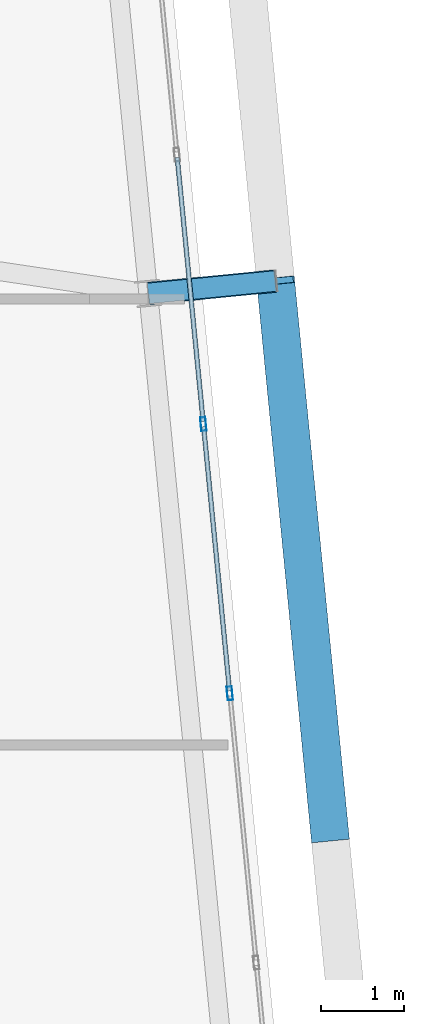
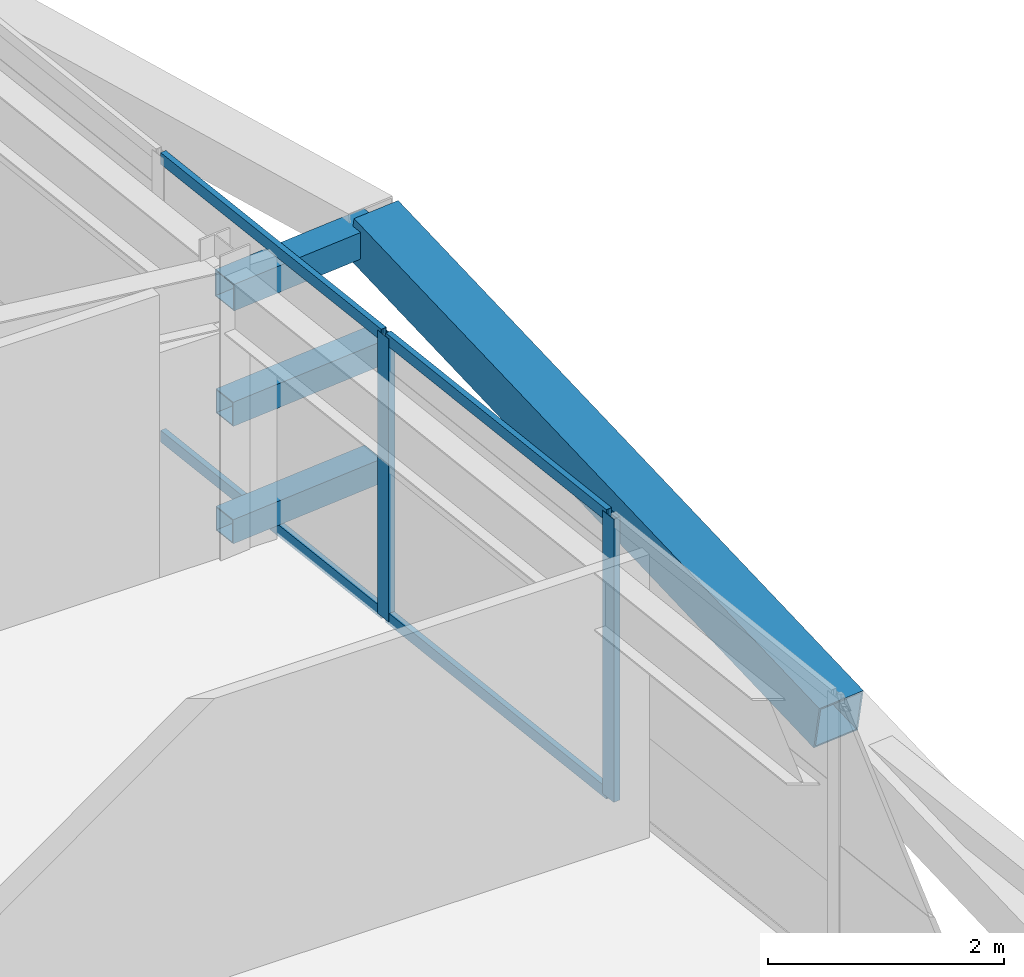
# One storey, part 24 of 53: 10 members, 1 element without a shape of its own.
"""IFC4 building model written with IfcOpenShell, lengths in metres."""

from ifc_helpers import new_model, si_unit, direction, frame, origin, origin_2d, place, context, subcontext, project, spatial, hollow_rectangle, extrude, source, transform, mapped, material, layer, layer_set, material_profile, profile_set, type_object, element, aggregate, save


model = new_model("IFC4")

# Units and contexts
model_context = context("Model", 3, precision=1e-05, world=origin(), true_north=direction((0.0, 1.0)))
body_context = subcontext(model_context, "Body", "Model", "MODEL_VIEW")
ifc_project = project(units=[si_unit("LENGTHUNIT", "METRE"), si_unit("AREAUNIT", "SQUARE_METRE"), si_unit("VOLUMEUNIT", "CUBIC_METRE"), si_unit("PLANEANGLEUNIT", "RADIAN"), si_unit("MASSUNIT", "GRAM", prefix="KILO")], contexts=[model_context])

# Site, building, storey
site_placement = place(None, origin())
site = spatial("IfcSite", under=ifc_project, at=site_placement, CompositionType="ELEMENT")
building_placement = place(site_placement, origin())
building = spatial("IfcBuilding", under=site, at=building_placement, Name="Taldren Reach Tower", CompositionType="ELEMENT")
storey_placement = place(building_placement, frame((0.0, 0.0, 68.25)))
storey = spatial("IfcBuildingStorey", under=building, at=storey_placement, Name="L20", CompositionType="ELEMENT", Elevation=68.25)

# Members
ifc_material_1 = material(Name="Steel Gr 450 (C450L0)", Category="steel")
ifc_material_profile_1 = material_profile(ifc_material_1, hollow_rectangle(XDim=0.27490234375, YDim=0.27490234375, WallThickness=0.00927734375, at=origin_2d()), Name="275x275x9.3SHS")
ifc_profile_set_1 = profile_set([ifc_material_profile_1], Name="Steel Gr 450 (C450L0)")
member_type_1 = type_object("IfcMemberType", Name="MB-TIE273", PredefinedType="STRUT", material=ifc_profile_set_1)
shared_shape_1 = source(origin(), body_context, "Body", "SweptSolid", [
    extrude(hollow_rectangle(XDim=0.27490234375, YDim=0.27490234375, WallThickness=0.00927734375, at=origin_2d()), origin(), (0.0, 0.0, 1.0), 1.5498046875),
])
member_1_placement = place(storey_placement, frame((64.569580078125, 21.968994140625, 2.64990234375), z_axis=(0.995234821595, 0.097507178627, 0.0), x_axis=(-0.097507178627, 0.995234821595, 0.0)))
element("IfcMember", 1, at=member_1_placement, inside=storey, type_object=member_type_1, Name="Exoskeleton diaphragm tie strut B2-E2 L20", PredefinedType="STRUT", context=body_context, shape_type="MappedRepresentation", body=[
    mapped(shared_shape_1, transform((0.0, 0.0, 0.0), scale=1.0)),
])
ifc_material_2 = material(Name="Steel Gr 350 (C350L0)", Category="steel")
ifc_material_profile_2 = material_profile(ifc_material_2, hollow_rectangle(XDim=0.25, YDim=0.25, WallThickness=0.010009765625, at=origin_2d()), Name="250x250x10.0SHS")
ifc_profile_set_2 = profile_set([ifc_material_profile_2], Name="Steel Gr 350 (C350L0)")
member_type_2 = type_object("IfcMemberType", Name="MB-POST250", PredefinedType="POST", material=ifc_profile_set_2)
shared_shape_2 = source(origin(), body_context, "Body", "SweptSolid", [
    extrude(hollow_rectangle(XDim=0.25, YDim=0.25, WallThickness=0.010009765625, at=origin_2d()), origin(), (0.0, 0.0, 1.0), 1.5498046875),
])
for number, where, z_axis, x_axis, name in (
    (2, (64.569580078125, 21.968994140625, 0.219970703125), (0.995234821595, 0.097507178627, 0.0), (-0.097507178627, 0.995234821595, 0.0), "Exoskeleton base diaphragm tie strut B2-E2 L20"),
    (3, (64.569580078125, 21.968994140625, 1.43505859375), (0.995234821595, 0.097507178627, 0.0), (-0.097507178627, 0.995234821595, 0.0), "Exoskeleton mid-tier diaphragm tie B2-E2 L20"),
):
    element("IfcMember", number, at=place(storey_placement, frame(where, z_axis=z_axis, x_axis=x_axis)), inside=storey, type_object=member_type_2, Name=name, PredefinedType="POST", context=body_context, shape_type="MappedRepresentation", body=[
        mapped(shared_shape_2, transform((0.0, 0.0, 0.0), scale=1.0)),
    ])
ifc_material_profile_3 = material_profile(ifc_material_1, hollow_rectangle(XDim=0.4599609375, YDim=0.4599609375, WallThickness=0.01611328125, at=origin_2d()), Name="460x460x16.0SHS")
ifc_profile_set_3 = profile_set([ifc_material_profile_3], Name="Steel Gr 450 (C450L0)")
member_type_3 = type_object("IfcMemberType", Name="MB-EXO457", PredefinedType="BRACE", material=ifc_profile_set_3)
shared_shape_3 = source(origin(), body_context, "Body", "SweptSolid", [
    extrude(hollow_rectangle(XDim=0.4599609375, YDim=0.4599609375, WallThickness=0.01611328125, at=origin_2d()), origin(), (0.0, 0.0, 1.0), 6.883056640625),
])
member_2_placement = place(storey_placement, frame((66.773193359375, 15.37744140625, 1.43505859375), z_axis=(-0.096052059581, 0.979603316657, 0.176497432967), x_axis=(-0.995227290009, -0.097584021339, 0.0)))
element("IfcMember", 4, at=member_2_placement, inside=storey, type_object=member_type_3, Name="Exoskeleton Diagrid Brace B2-E1 L20", PredefinedType="BRACE", context=body_context, shape_type="MappedRepresentation", body=[
    mapped(shared_shape_3, transform((0.0, 0.0, 0.0), scale=1.0)),
])

# Curtain wall, members
ifc_material_3 = material(Name="Aluminium and Low-E Glass Unitised System", Category="aluminium")
ifc_layer = layer(ifc_material_3, 0.159912109375)
ifc_layer_set = layer_set([ifc_layer], Name="Aluminium and Low-E Glass Unitised System")
curtain_wall_type = type_object("IfcCurtainWallType", Name="CW-SYS-3", PredefinedType="NOTDEFINED", material=ifc_layer_set)
curtain_wall_placement = place(storey_placement, origin())
curtain_wall = element("IfcCurtainWall", 5, at=curtain_wall_placement, inside=storey, type_object=curtain_wall_type, Name="Unitised curtain wall CW-L20-E", PredefinedType="NOTDEFINED")
ifc_material_4 = material(Name="Anodised Aluminium 6063-T6", Category="aluminium")
ifc_material_profile_4 = material_profile(ifc_material_4, hollow_rectangle(XDim=0.06494140625, YDim=0.1650390625, WallThickness=0.00390625, at=origin_2d()), Name="ALU-165x65x4RHS")
ifc_profile_set_4 = profile_set([ifc_material_profile_4], Name="Anodised Aluminium 6063-T6")
member_type_4 = type_object("IfcMemberType", Name="CW-MUL-165", PredefinedType="MULLION", material=ifc_profile_set_4)
shared_shape_4 = source(origin(), body_context, "Body", "SweptSolid", [
    extrude(hollow_rectangle(XDim=0.06494140625, YDim=0.1650390625, WallThickness=0.00390625, at=origin_2d()), origin(), (0.0, 0.0, 1.0), 2.929931640625),
])
member_3_placement = place(storey_placement, frame((65.556884765625, 17.12548828125, 0.0), z_axis=(0.0, 0.0, 1.0), x_axis=(-0.99522741555, -0.09758274098, 0.0)))
member_3 = element("IfcMember", 6, at=member_3_placement, type_object=member_type_4, Name="CW-3 mullion 4", PredefinedType="MULLION", context=body_context, shape_type="MappedRepresentation", body=[
    mapped(shared_shape_4, transform((0.0, 0.0, 0.0), scale=1.0)),
])
member_4_placement = place(storey_placement, frame((65.237060546875, 20.3876953125, 0.0), z_axis=(0.0, 0.0, 1.0), x_axis=(-0.99522741555, -0.09758274098, 0.0)))
member_4 = element("IfcMember", 7, at=member_4_placement, type_object=member_type_4, Name="CW-3 mullion 5", PredefinedType="MULLION", context=body_context, shape_type="MappedRepresentation", body=[
    mapped(shared_shape_4, transform((0.0, 0.0, 0.0), scale=1.0)),
])
ifc_material_profile_5 = material_profile(ifc_material_4, hollow_rectangle(XDim=0.054931640625, YDim=0.1201171875, WallThickness=0.0029296875, at=origin_2d()), Name="ALU-120x55x3RHS")
ifc_profile_set_5 = profile_set([ifc_material_profile_5], Name="Anodised Aluminium 6063-T6")
member_type_5 = type_object("IfcMemberType", Name="CW-TRN-135", PredefinedType="USERDEFINED", material=ifc_profile_set_5)
shared_shape_5 = source(origin(), body_context, "Body", "SweptSolid", [
    extrude(hollow_rectangle(XDim=0.054931640625, YDim=0.1201171875, WallThickness=0.0029296875, at=origin_2d()), origin(), (0.0, 0.0, 1.0), 3.212890625),
])
member_5_placement = place(storey_placement, frame((65.5537109375, 17.15771484375, 0.027587890625), z_axis=(-0.097569948235, 0.995228669805, 0.0), x_axis=(-0.995228669805, -0.097569948235, 0.0)))
member_5 = element("IfcMember", 8, at=member_5_placement, type_object=member_type_5, Name="CW-3 transom 4.1", ObjectType="TRANSOM", PredefinedType="USERDEFINED", context=body_context, shape_type="MappedRepresentation", body=[
    mapped(shared_shape_5, transform((0.0, 0.0, 0.0), scale=1.0)),
])
member_6_placement = place(storey_placement, frame((65.5537109375, 17.15771484375, 2.902587890625), z_axis=(-0.097569948235, 0.995228669805, 0.0), x_axis=(-0.995228669805, -0.097569948235, 0.0)))
member_6 = element("IfcMember", 9, at=member_6_placement, type_object=member_type_5, Name="CW-3 transom 4.2", ObjectType="TRANSOM", PredefinedType="USERDEFINED", context=body_context, shape_type="MappedRepresentation", body=[
    mapped(shared_shape_5, transform((0.0, 0.0, 0.0), scale=1.0)),
])
member_7_placement = place(storey_placement, frame((65.23388671875, 20.419921875, 0.027587890625), z_axis=(-0.097645213046, 0.995221288141, 0.0), x_axis=(-0.995221288141, -0.097645213046, 0.0)))
member_7 = element("IfcMember", 10, at=member_7_placement, type_object=member_type_5, Name="CW-3 transom 5.1", ObjectType="TRANSOM", PredefinedType="USERDEFINED", context=body_context, shape_type="MappedRepresentation", body=[
    mapped(shared_shape_5, transform((0.0, 0.0, 0.0), scale=1.0)),
])
member_8_placement = place(storey_placement, frame((65.23388671875, 20.419921875, 2.902587890625), z_axis=(-0.097645213046, 0.995221288141, 0.0), x_axis=(-0.995221288141, -0.097645213046, 0.0)))
member_8 = element("IfcMember", 11, at=member_8_placement, type_object=member_type_5, Name="CW-3 transom 5.2", ObjectType="TRANSOM", PredefinedType="USERDEFINED", context=body_context, shape_type="MappedRepresentation", body=[
    mapped(shared_shape_5, transform((0.0, 0.0, 0.0), scale=1.0)),
])
aggregate(curtain_wall, [member_3, member_4, member_5, member_6, member_7, member_8])

save(model, "model.ifc")
